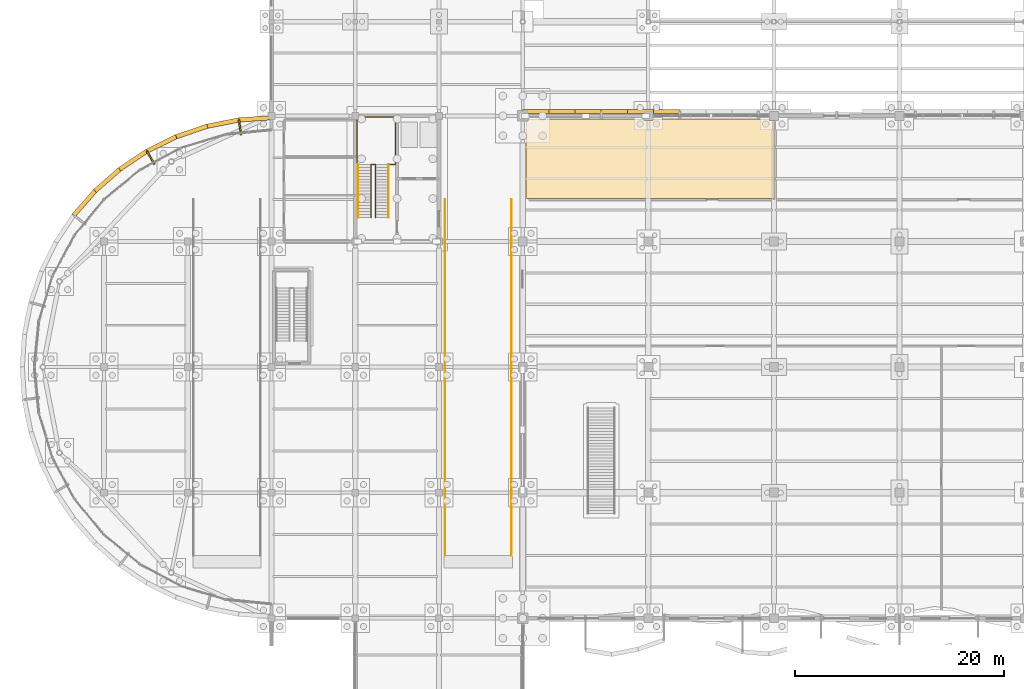
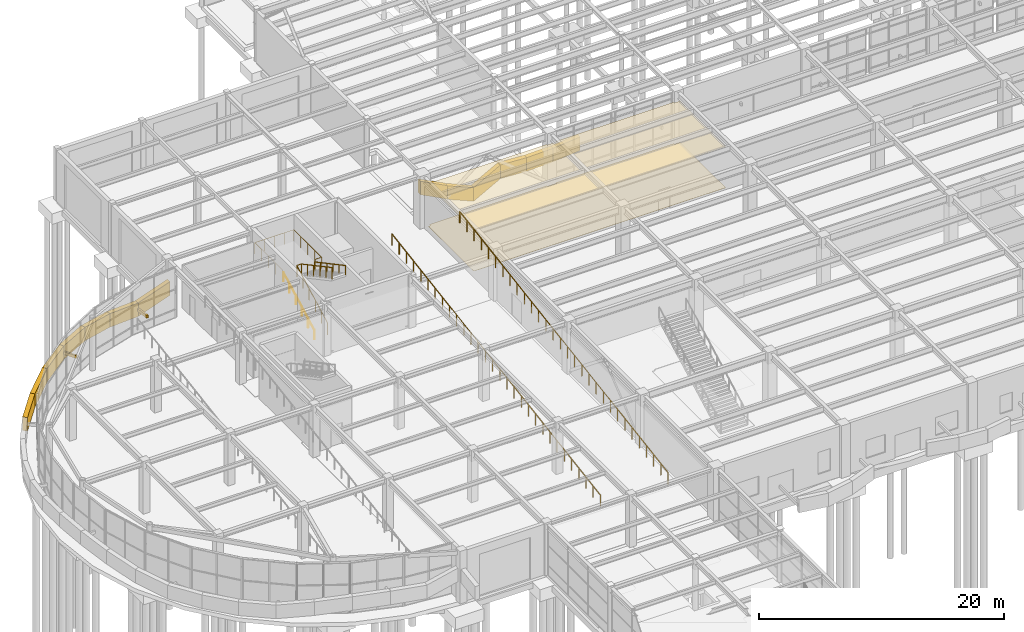
# One storey, part 77 of 85: 17 coverings, 6 railings.
"""IFC4 building model written with IfcOpenShell, lengths in metres."""

from ifc_helpers import new_model, si_unit, direction, frame, frame_2d, origin, origin_2d, place, context, subcontext, project, spatial, polyline, rectangle, circle, outline, extrude, material, layer, layer_set, type_object, element, save


model = new_model("IFC4")

# Units and contexts
model_context = context("Model", 3, precision=1e-05, world=origin(), true_north=direction((0.0, 1.0)))
body_context = subcontext(model_context, "Body", "Model", "MODEL_VIEW")
ifc_project = project(units=[si_unit("LENGTHUNIT", "METRE"), si_unit("AREAUNIT", "SQUARE_METRE"), si_unit("VOLUMEUNIT", "CUBIC_METRE"), si_unit("PLANEANGLEUNIT", "RADIAN"), si_unit("MASSUNIT", "GRAM", prefix="KILO")], contexts=[model_context])

# Site, building, storey
site_placement = place(None, origin())
site = spatial("IfcSite", under=ifc_project, at=site_placement, CompositionType="ELEMENT")
building_placement = place(site_placement, origin())
building = spatial("IfcBuilding", under=site, at=building_placement, Name="Keelwater Ferry Terminal", CompositionType="ELEMENT")
storey_placement = place(building_placement, origin())
storey = spatial("IfcBuildingStorey", under=building, at=storey_placement, Name="L00", CompositionType="ELEMENT", Elevation=0.0)

# Coverings
ifc_material_1 = material(Name="Perforated acoustic gypsum board ceiling", Category="gypsum")
ifc_layer_1 = layer(ifc_material_1, 0.044921875)
ifc_layer_set_1 = layer_set([ifc_layer_1], Name="Perforated acoustic gypsum board ceiling")
covering_type_1 = type_object("IfcCoveringType", Name="CL-AC Acoustic Baffle Ceiling", PredefinedType="CEILING", material=ifc_layer_set_1)
covering_1_placement = place(storey_placement, frame((0.0, 0.0, 4.10009765625)))
element("IfcCovering", 1, at=covering_1_placement, inside=storey, type_object=covering_type_1, Name="Left-Baggage Store Acoustic Ceiling", PredefinedType="CEILING", context=body_context, shape_type="SweptSolid", body=[
    extrude(outline(polyline([(59.56494140625, 89.678955078125), (59.56494140625, 89.56494140625), (60.43505859375, 89.56494140625), (60.43505859375, 89.678955078125), (60.43701171875, 89.679931640625), (60.445068359375, 89.679931640625), (71.554931640625, 89.679931640625), (71.56298828125, 89.679931640625), (71.56494140625, 89.678955078125), (71.56494140625, 89.56494140625), (72.0791015625, 89.56494140625), (72.080078125, 89.56298828125), (72.080078125, 89.554931640625), (72.080078125, 82.199951171875), (72.080078125, 82.19189453125), (72.077880859375, 82.18408203125), (72.076904296875, 82.177001953125), (72.073974609375, 82.1689453125), (72.071044921875, 82.162109375), (72.06689453125, 82.156005859375), (72.06201171875, 82.14892578125), (72.056884765625, 82.14306640625), (72.051025390625, 82.137939453125), (72.0439453125, 82.133056640625), (72.0380859375, 82.12890625), (72.031005859375, 82.1259765625), (72.02294921875, 82.123046875), (72.01611328125, 82.1220703125), (72.008056640625, 82.1201171875), (72.0, 82.1201171875), (48.39990234375, 82.1201171875), (48.39208984375, 82.1201171875), (48.384033203125, 82.1220703125), (48.376953125, 82.123046875), (48.368896484375, 82.1259765625), (48.362060546875, 82.12890625), (48.35595703125, 82.133056640625), (48.34912109375, 82.137939453125), (48.343017578125, 82.14306640625), (48.337890625, 82.14892578125), (48.3330078125, 82.156005859375), (48.3291015625, 82.162109375), (48.325927734375, 82.1689453125), (48.322998046875, 82.177001953125), (48.322021484375, 82.18408203125), (48.320068359375, 82.19189453125), (48.320068359375, 82.199951171875), (48.320068359375, 89.47998046875), (48.320068359375, 89.488037109375), (48.321044921875, 89.489990234375), (48.510009765625, 89.489990234375), (48.510009765625, 89.678955078125), (48.511962890625, 89.679931640625), (48.52001953125, 89.679931640625), (59.554931640625, 89.679931640625), (59.56298828125, 89.679931640625), (59.56494140625, 89.678955078125)])), origin(), (0.0, 0.0, 1.0), 0.044921875),
])
ifc_material_2 = material(Name="Polished mineral terrazzo tile", Category="stone")
ifc_layer_2 = layer(ifc_material_2, 0.030029296875)
ifc_layer_set_2 = layer_set([ifc_layer_2], Name="Polished mineral terrazzo tile")
covering_type_2 = type_object("IfcCoveringType", Name="FL-TZ Marine Terrazzo Flooring", PredefinedType="FLOORING", material=ifc_layer_set_2)
covering_2_placement = place(storey_placement, origin())
element("IfcCovering", 2, at=covering_2_placement, inside=storey, type_object=covering_type_2, Name="Left-Baggage Store Terrazzo Floor", PredefinedType="FLOORING", context=body_context, shape_type="SweptSolid", body=[
    extrude(outline(polyline([(59.56494140625, 89.678955078125), (59.56494140625, 89.56494140625), (60.43505859375, 89.56494140625), (60.43505859375, 89.678955078125), (60.43701171875, 89.679931640625), (60.445068359375, 89.679931640625), (71.554931640625, 89.679931640625), (71.56298828125, 89.679931640625), (71.56494140625, 89.678955078125), (71.56494140625, 89.56494140625), (72.0791015625, 89.56494140625), (72.080078125, 89.56298828125), (72.080078125, 89.554931640625), (72.080078125, 82.199951171875), (72.080078125, 82.19189453125), (72.077880859375, 82.18408203125), (72.076904296875, 82.177001953125), (72.073974609375, 82.1689453125), (72.071044921875, 82.162109375), (72.06689453125, 82.156005859375), (72.06201171875, 82.14892578125), (72.056884765625, 82.14306640625), (72.051025390625, 82.137939453125), (72.0439453125, 82.133056640625), (72.0380859375, 82.12890625), (72.031005859375, 82.1259765625), (72.02294921875, 82.123046875), (72.01611328125, 82.1220703125), (72.008056640625, 82.1201171875), (72.0, 82.1201171875), (48.39990234375, 82.1201171875), (48.39208984375, 82.1201171875), (48.384033203125, 82.1220703125), (48.376953125, 82.123046875), (48.368896484375, 82.1259765625), (48.362060546875, 82.12890625), (48.35595703125, 82.133056640625), (48.34912109375, 82.137939453125), (48.343017578125, 82.14306640625), (48.337890625, 82.14892578125), (48.3330078125, 82.156005859375), (48.3291015625, 82.162109375), (48.325927734375, 82.1689453125), (48.322998046875, 82.177001953125), (48.322021484375, 82.18408203125), (48.320068359375, 82.19189453125), (48.320068359375, 82.199951171875), (48.320068359375, 89.47998046875), (48.320068359375, 89.488037109375), (48.321044921875, 89.489990234375), (48.510009765625, 89.489990234375), (48.510009765625, 89.678955078125), (48.511962890625, 89.679931640625), (48.52001953125, 89.679931640625), (59.554931640625, 89.679931640625), (59.56298828125, 89.679931640625), (59.56494140625, 89.678955078125)])), origin(), (0.0, 0.0, 1.0), 0.030029296875),
])

# Railings
ifc_material_3 = material(Name="Painted Steel S355", Category="steel")
railing_type_1 = type_object("IfcRailingType", Name="GR-115 Stair Well Guardrail", PredefinedType="GUARDRAIL", material=ifc_material_3)
railing_1_placement = place(storey_placement, frame((33.510009765625, 80.300048828125, 0.0)))
element("IfcRailing", 3, at=railing_1_placement, inside=storey, type_object=railing_type_1, Name="Stair ST-C1-L00 Inner Well Guard 1", PredefinedType="GUARDRAIL", context=body_context, shape_type="SweptSolid", body=[
    extrude(circle(Radius=0.02392578125, at=origin_2d()), frame((0.0, 0.0, 1.1259765625), z_axis=(0.0, 0.881485048194, 0.472211933151), x_axis=(-1.0, 0.0, 0.0)), (0.0, 0.0, 1.0), 5.7177734375),
    extrude(circle(Radius=0.02392578125, at=origin_2d()), frame((0.0, 5.0400390625, 3.82568359375), z_axis=(1.0, 0.0, 0.0), x_axis=(0.0, 1.0, 0.0)), (0.0, 0.0, 1.0), 0.419921875),
    extrude(circle(Radius=0.02392578125, at=origin_2d()), frame((0.419921875, 5.0400390625, 3.82568359375), z_axis=(0.0, -0.881485048194, 0.472211933151), x_axis=(1.0, 0.0, 0.0)), (0.0, 0.0, 1.0), 5.7177734375),
    extrude(circle(Radius=0.02099609375, at=origin_2d()), origin(), (0.0, 0.0, 1.0), 1.101806640625),
    extrude(circle(Radius=0.02099609375, at=origin_2d()), frame((0.0, 1.008056640625, 0.5400390625)), (0.0, 0.0, 1.0), 1.101806640625),
    extrude(circle(Radius=0.02099609375, at=origin_2d()), frame((0.0, 2.01611328125, 1.080078125)), (0.0, 0.0, 1.0), 1.101806640625),
    extrude(circle(Radius=0.02099609375, at=origin_2d()), frame((0.0, 3.02392578125, 1.619873046875)), (0.0, 0.0, 1.0), 1.101806640625),
    extrude(circle(Radius=0.02099609375, at=origin_2d()), frame((0.0, 4.031982421875, 2.159912109375)), (0.0, 0.0, 1.0), 1.101806640625),
    extrude(circle(Radius=0.02099609375, at=origin_2d()), frame((0.0, 5.0400390625, 2.699951171875)), (0.0, 0.0, 1.0), 1.101806640625),
    extrude(circle(Radius=0.02099609375, at=origin_2d()), frame((0.419921875, 5.0400390625, 2.699951171875)), (0.0, 0.0, 1.0), 1.101806640625),
    extrude(circle(Radius=0.02099609375, at=origin_2d()), frame((0.419921875, 4.031982421875, 3.239990234375)), (0.0, 0.0, 1.0), 1.101806640625),
    extrude(circle(Radius=0.02099609375, at=origin_2d()), frame((0.419921875, 3.02392578125, 3.780029296875)), (0.0, 0.0, 1.0), 1.101806640625),
    extrude(circle(Radius=0.02099609375, at=origin_2d()), frame((0.419921875, 2.01611328125, 4.31982421875)), (0.0, 0.0, 1.0), 1.101806640625),
    extrude(circle(Radius=0.02099609375, at=origin_2d()), frame((0.419921875, 1.008056640625, 4.85986328125)), (0.0, 0.0, 1.0), 1.101806640625),
    extrude(circle(Radius=0.02099609375, at=origin_2d()), frame((0.419921875, 0.0, 5.39990234375)), (0.0, 0.0, 1.0), 1.101806640625),
])
railing_2_placement = place(storey_placement, frame((32.199951171875, 85.340087890625, 2.699951171875)))
element("IfcRailing", 4, at=railing_2_placement, inside=storey, type_object=railing_type_1, Name="Stair ST-C1-L00 Half-Landing Guard 2", PredefinedType="GUARDRAIL", context=body_context, shape_type="SweptSolid", body=[
    extrude(circle(Radius=0.02392578125, at=origin_2d()), frame((0.0, 0.0, 1.1259765625), z_axis=(-1.0, 0.0, 0.0), x_axis=(0.0, -1.0, 0.0)), (0.0, 0.0, 1.0), 0.02001953125),
    extrude(circle(Radius=0.02392578125, at=origin_2d()), frame((-0.02001953125, 0.0, 1.1259765625), z_axis=(0.0, 1.0, 0.0), x_axis=(-1.0, 0.0, 0.0)), (0.0, 0.0, 1.0), 4.530029296875),
    extrude(circle(Radius=0.02392578125, at=origin_2d()), frame((-0.02001953125, 4.530029296875, 1.1259765625), z_axis=(1.0, 0.0, 0.0), x_axis=(0.0, 1.0, 0.0)), (0.0, 0.0, 1.0), 3.670166015625),
    extrude(circle(Radius=0.02392578125, at=origin_2d()), frame((3.650146484375, 4.530029296875, 1.1259765625), z_axis=(0.0, -1.0, 0.0), x_axis=(1.0, 0.0, 0.0)), (0.0, 0.0, 1.0), 4.530029296875),
    extrude(circle(Radius=0.02392578125, at=origin_2d()), frame((3.650146484375, 0.0, 1.1259765625), z_axis=(-1.0, 0.0, 0.0), x_axis=(0.0, -1.0, 0.0)), (0.0, 0.0, 1.0), 0.610107421875),
    extrude(circle(Radius=0.02099609375, at=origin_2d()), origin(), (0.0, 0.0, 1.0), 1.101806640625),
    extrude(circle(Radius=0.02099609375, at=origin_2d()), frame((-0.02001953125, 0.0, 0.0)), (0.0, 0.0, 1.0), 1.101806640625),
    extrude(circle(Radius=0.02099609375, at=origin_2d()), frame((-0.02001953125, 1.132568359375, 0.0)), (0.0, 0.0, 1.0), 1.101806640625),
    extrude(circle(Radius=0.02099609375, at=origin_2d()), frame((-0.02001953125, 2.26513671875, 0.0)), (0.0, 0.0, 1.0), 1.101806640625),
    extrude(circle(Radius=0.02099609375, at=origin_2d()), frame((-0.02001953125, 3.3974609375, 0.0)), (0.0, 0.0, 1.0), 1.101806640625),
    extrude(circle(Radius=0.02099609375, at=origin_2d()), frame((-0.02001953125, 4.530029296875, 0.0)), (0.0, 0.0, 1.0), 1.101806640625),
    extrude(circle(Radius=0.02099609375, at=origin_2d()), frame((0.8974609375, 4.530029296875, 0.0)), (0.0, 0.0, 1.0), 1.101806640625),
    extrude(circle(Radius=0.02099609375, at=origin_2d()), frame((1.81494140625, 4.530029296875, 0.0)), (0.0, 0.0, 1.0), 1.101806640625),
    extrude(circle(Radius=0.02099609375, at=origin_2d()), frame((2.732666015625, 4.530029296875, 0.0)), (0.0, 0.0, 1.0), 1.101806640625),
    extrude(circle(Radius=0.02099609375, at=origin_2d()), frame((3.650146484375, 4.530029296875, 0.0)), (0.0, 0.0, 1.0), 1.101806640625),
    extrude(circle(Radius=0.02099609375, at=origin_2d()), frame((3.650146484375, 3.3974609375, 0.0)), (0.0, 0.0, 1.0), 1.101806640625),
    extrude(circle(Radius=0.02099609375, at=origin_2d()), frame((3.650146484375, 2.26513671875, 0.0)), (0.0, 0.0, 1.0), 1.101806640625),
    extrude(circle(Radius=0.02099609375, at=origin_2d()), frame((3.650146484375, 1.132568359375, 0.0)), (0.0, 0.0, 1.0), 1.101806640625),
    extrude(circle(Radius=0.02099609375, at=origin_2d()), frame((3.650146484375, 0.0, 0.0)), (0.0, 0.0, 1.0), 1.101806640625),
    extrude(circle(Radius=0.02099609375, at=origin_2d()), frame((3.0400390625, 0.0, 0.0)), (0.0, 0.0, 1.0), 1.101806640625),
])
railing_3_placement = place(storey_placement, frame((40.56005859375, 48.0, 0.0)))
element("IfcRailing", 5, at=railing_3_placement, inside=storey, type_object=railing_type_1, Name="VR2 Sloped Ramp Guard 136", PredefinedType="GUARDRAIL", context=body_context, shape_type="SweptSolid", body=[
    extrude(circle(Radius=0.02392578125, at=origin_2d()), frame((0.0, 0.0, 1.1259765625), z_axis=(0.0, 0.987621686258, 0.156854725246), x_axis=(-1.0, 0.0, 0.0)), (0.0, 0.0, 1.0), 34.426025390625),
    extrude(circle(Radius=0.02099609375, at=origin_2d()), origin(), (0.0, 0.0, 1.0), 1.101806640625),
    extrude(circle(Radius=0.02099609375, at=origin_2d()), frame((0.0, 1.17236328125, 0.186279296875)), (0.0, 0.0, 1.0), 1.101806640625),
    extrude(circle(Radius=0.02099609375, at=origin_2d()), frame((0.0, 2.3447265625, 0.372314453125)), (0.0, 0.0, 1.0), 1.101806640625),
    extrude(circle(Radius=0.02099609375, at=origin_2d()), frame((0.0, 3.517333984375, 0.55859375)), (0.0, 0.0, 1.0), 1.101806640625),
    extrude(circle(Radius=0.02099609375, at=origin_2d()), frame((0.0, 4.689697265625, 0.744873046875)), (0.0, 0.0, 1.0), 1.101806640625),
    extrude(circle(Radius=0.02099609375, at=origin_2d()), frame((0.0, 5.862060546875, 0.930908203125)), (0.0, 0.0, 1.0), 1.101806640625),
    extrude(circle(Radius=0.02099609375, at=origin_2d()), frame((0.0, 7.034423828125, 1.1171875)), (0.0, 0.0, 1.0), 1.101806640625),
    extrude(circle(Radius=0.02099609375, at=origin_2d()), frame((0.0, 8.206787109375, 1.303466796875)), (0.0, 0.0, 1.0), 1.101806640625),
    extrude(circle(Radius=0.02099609375, at=origin_2d()), frame((0.0, 9.37939453125, 1.48974609375)), (0.0, 0.0, 1.0), 1.101806640625),
    extrude(circle(Radius=0.02099609375, at=origin_2d()), frame((0.0, 10.5517578125, 1.67578125)), (0.0, 0.0, 1.0), 1.101806640625),
    extrude(circle(Radius=0.02099609375, at=origin_2d()), frame((0.0, 11.72412109375, 1.862060546875)), (0.0, 0.0, 1.0), 1.101806640625),
    extrude(circle(Radius=0.02099609375, at=origin_2d()), frame((0.0, 12.896484375, 2.04833984375)), (0.0, 0.0, 1.0), 1.101806640625),
    extrude(circle(Radius=0.02099609375, at=origin_2d()), frame((0.0, 14.06884765625, 2.234375)), (0.0, 0.0, 1.0), 1.101806640625),
    extrude(circle(Radius=0.02099609375, at=origin_2d()), frame((0.0, 15.241455078125, 2.420654296875)), (0.0, 0.0, 1.0), 1.101806640625),
    extrude(circle(Radius=0.02099609375, at=origin_2d()), frame((0.0, 16.413818359375, 2.60693359375)), (0.0, 0.0, 1.0), 1.101806640625),
    extrude(circle(Radius=0.02099609375, at=origin_2d()), frame((0.0, 17.586181640625, 2.79296875)), (0.0, 0.0, 1.0), 1.101806640625),
    extrude(circle(Radius=0.02099609375, at=origin_2d()), frame((0.0, 18.758544921875, 2.979248046875)), (0.0, 0.0, 1.0), 1.101806640625),
    extrude(circle(Radius=0.02099609375, at=origin_2d()), frame((0.0, 19.93115234375, 3.16552734375)), (0.0, 0.0, 1.0), 1.101806640625),
    extrude(circle(Radius=0.02099609375, at=origin_2d()), frame((0.0, 21.103515625, 3.3515625)), (0.0, 0.0, 1.0), 1.101806640625),
    extrude(circle(Radius=0.02099609375, at=origin_2d()), frame((0.0, 22.27587890625, 3.537841796875)), (0.0, 0.0, 1.0), 1.101806640625),
    extrude(circle(Radius=0.02099609375, at=origin_2d()), frame((0.0, 23.4482421875, 3.72412109375)), (0.0, 0.0, 1.0), 1.101806640625),
    extrude(circle(Radius=0.02099609375, at=origin_2d()), frame((0.0, 24.62060546875, 3.91015625)), (0.0, 0.0, 1.0), 1.101806640625),
    extrude(circle(Radius=0.02099609375, at=origin_2d()), frame((0.0, 25.793212890625, 4.096435546875)), (0.0, 0.0, 1.0), 1.101806640625),
    extrude(circle(Radius=0.02099609375, at=origin_2d()), frame((0.0, 26.965576171875, 4.28271484375)), (0.0, 0.0, 1.0), 1.101806640625),
    extrude(circle(Radius=0.02099609375, at=origin_2d()), frame((0.0, 28.137939453125, 4.468994140625)), (0.0, 0.0, 1.0), 1.101806640625),
    extrude(circle(Radius=0.02099609375, at=origin_2d()), frame((0.0, 29.310302734375, 4.655029296875)), (0.0, 0.0, 1.0), 1.101806640625),
    extrude(circle(Radius=0.02099609375, at=origin_2d()), frame((0.0, 30.482666015625, 4.84130859375)), (0.0, 0.0, 1.0), 1.101806640625),
    extrude(circle(Radius=0.02099609375, at=origin_2d()), frame((0.0, 31.6552734375, 5.027587890625)), (0.0, 0.0, 1.0), 1.101806640625),
    extrude(circle(Radius=0.02099609375, at=origin_2d()), frame((0.0, 32.82763671875, 5.213623046875)), (0.0, 0.0, 1.0), 1.101806640625),
    extrude(circle(Radius=0.02099609375, at=origin_2d()), frame((0.0, 34.0, 5.39990234375)), (0.0, 0.0, 1.0), 1.101806640625),
])
railing_4_placement = place(storey_placement, frame((46.93994140625, 48.0, 0.0)))
element("IfcRailing", 6, at=railing_4_placement, inside=storey, type_object=railing_type_1, Name="VR2 Sloped Ramp Guard 137", PredefinedType="GUARDRAIL", context=body_context, shape_type="SweptSolid", body=[
    extrude(circle(Radius=0.02392578125, at=origin_2d()), frame((0.0, 0.0, 1.1259765625), z_axis=(0.0, 0.987621686258, 0.156854725246), x_axis=(-1.0, 0.0, 0.0)), (0.0, 0.0, 1.0), 34.426025390625),
    extrude(circle(Radius=0.02099609375, at=origin_2d()), origin(), (0.0, 0.0, 1.0), 1.101806640625),
    extrude(circle(Radius=0.02099609375, at=origin_2d()), frame((0.0, 1.17236328125, 0.186279296875)), (0.0, 0.0, 1.0), 1.101806640625),
    extrude(circle(Radius=0.02099609375, at=origin_2d()), frame((0.0, 2.3447265625, 0.372314453125)), (0.0, 0.0, 1.0), 1.101806640625),
    extrude(circle(Radius=0.02099609375, at=origin_2d()), frame((0.0, 3.517333984375, 0.55859375)), (0.0, 0.0, 1.0), 1.101806640625),
    extrude(circle(Radius=0.02099609375, at=origin_2d()), frame((0.0, 4.689697265625, 0.744873046875)), (0.0, 0.0, 1.0), 1.101806640625),
    extrude(circle(Radius=0.02099609375, at=origin_2d()), frame((0.0, 5.862060546875, 0.930908203125)), (0.0, 0.0, 1.0), 1.101806640625),
    extrude(circle(Radius=0.02099609375, at=origin_2d()), frame((0.0, 7.034423828125, 1.1171875)), (0.0, 0.0, 1.0), 1.101806640625),
    extrude(circle(Radius=0.02099609375, at=origin_2d()), frame((0.0, 8.206787109375, 1.303466796875)), (0.0, 0.0, 1.0), 1.101806640625),
    extrude(circle(Radius=0.02099609375, at=origin_2d()), frame((0.0, 9.37939453125, 1.48974609375)), (0.0, 0.0, 1.0), 1.101806640625),
    extrude(circle(Radius=0.02099609375, at=origin_2d()), frame((0.0, 10.5517578125, 1.67578125)), (0.0, 0.0, 1.0), 1.101806640625),
    extrude(circle(Radius=0.02099609375, at=origin_2d()), frame((0.0, 11.72412109375, 1.862060546875)), (0.0, 0.0, 1.0), 1.101806640625),
    extrude(circle(Radius=0.02099609375, at=origin_2d()), frame((0.0, 12.896484375, 2.04833984375)), (0.0, 0.0, 1.0), 1.101806640625),
    extrude(circle(Radius=0.02099609375, at=origin_2d()), frame((0.0, 14.06884765625, 2.234375)), (0.0, 0.0, 1.0), 1.101806640625),
    extrude(circle(Radius=0.02099609375, at=origin_2d()), frame((0.0, 15.241455078125, 2.420654296875)), (0.0, 0.0, 1.0), 1.101806640625),
    extrude(circle(Radius=0.02099609375, at=origin_2d()), frame((0.0, 16.413818359375, 2.60693359375)), (0.0, 0.0, 1.0), 1.101806640625),
    extrude(circle(Radius=0.02099609375, at=origin_2d()), frame((0.0, 17.586181640625, 2.79296875)), (0.0, 0.0, 1.0), 1.101806640625),
    extrude(circle(Radius=0.02099609375, at=origin_2d()), frame((0.0, 18.758544921875, 2.979248046875)), (0.0, 0.0, 1.0), 1.101806640625),
    extrude(circle(Radius=0.02099609375, at=origin_2d()), frame((0.0, 19.93115234375, 3.16552734375)), (0.0, 0.0, 1.0), 1.101806640625),
    extrude(circle(Radius=0.02099609375, at=origin_2d()), frame((0.0, 21.103515625, 3.3515625)), (0.0, 0.0, 1.0), 1.101806640625),
    extrude(circle(Radius=0.02099609375, at=origin_2d()), frame((0.0, 22.27587890625, 3.537841796875)), (0.0, 0.0, 1.0), 1.101806640625),
    extrude(circle(Radius=0.02099609375, at=origin_2d()), frame((0.0, 23.4482421875, 3.72412109375)), (0.0, 0.0, 1.0), 1.101806640625),
    extrude(circle(Radius=0.02099609375, at=origin_2d()), frame((0.0, 24.62060546875, 3.91015625)), (0.0, 0.0, 1.0), 1.101806640625),
    extrude(circle(Radius=0.02099609375, at=origin_2d()), frame((0.0, 25.793212890625, 4.096435546875)), (0.0, 0.0, 1.0), 1.101806640625),
    extrude(circle(Radius=0.02099609375, at=origin_2d()), frame((0.0, 26.965576171875, 4.28271484375)), (0.0, 0.0, 1.0), 1.101806640625),
    extrude(circle(Radius=0.02099609375, at=origin_2d()), frame((0.0, 28.137939453125, 4.468994140625)), (0.0, 0.0, 1.0), 1.101806640625),
    extrude(circle(Radius=0.02099609375, at=origin_2d()), frame((0.0, 29.310302734375, 4.655029296875)), (0.0, 0.0, 1.0), 1.101806640625),
    extrude(circle(Radius=0.02099609375, at=origin_2d()), frame((0.0, 30.482666015625, 4.84130859375)), (0.0, 0.0, 1.0), 1.101806640625),
    extrude(circle(Radius=0.02099609375, at=origin_2d()), frame((0.0, 31.6552734375, 5.027587890625)), (0.0, 0.0, 1.0), 1.101806640625),
    extrude(circle(Radius=0.02099609375, at=origin_2d()), frame((0.0, 32.82763671875, 5.213623046875)), (0.0, 0.0, 1.0), 1.101806640625),
    extrude(circle(Radius=0.02099609375, at=origin_2d()), frame((0.0, 34.0, 5.39990234375)), (0.0, 0.0, 1.0), 1.101806640625),
])
ifc_material_4 = material(Name="Brushed stainless steel handrail", Category="steel")
railing_type_2 = type_object("IfcRailingType", Name="HR-920 Stair Pitch Handrail", PredefinedType="HANDRAIL", material=ifc_material_4)
railing_5_placement = place(storey_placement, frame((32.260009765625, 80.300048828125, 0.0)))
element("IfcRailing", 7, at=railing_5_placement, inside=storey, type_object=railing_type_2, Name="Stair ST-C1-L00 Flight 1 Handrail 3", PredefinedType="HANDRAIL", context=body_context, shape_type="SweptSolid", body=[
    extrude(circle(Radius=0.02392578125, at=origin_2d()), frame((0.0, 0.0, 0.89599609375), z_axis=(0.0, 0.881485048194, 0.472211933151), x_axis=(-1.0, 0.0, 0.0)), (0.0, 0.0, 1.0), 5.7177734375),
    extrude(circle(Radius=0.02099609375, at=origin_2d()), origin(), (0.0, 0.0, 1.0), 0.871826171875),
    extrude(circle(Radius=0.02099609375, at=origin_2d()), frame((0.0, 1.008056640625, 0.5400390625)), (0.0, 0.0, 1.0), 0.871826171875),
    extrude(circle(Radius=0.02099609375, at=origin_2d()), frame((0.0, 2.01611328125, 1.080078125)), (0.0, 0.0, 1.0), 0.871826171875),
    extrude(circle(Radius=0.02099609375, at=origin_2d()), frame((0.0, 3.02392578125, 1.619873046875)), (0.0, 0.0, 1.0), 0.871826171875),
    extrude(circle(Radius=0.02099609375, at=origin_2d()), frame((0.0, 4.031982421875, 2.159912109375)), (0.0, 0.0, 1.0), 0.871826171875),
    extrude(circle(Radius=0.02099609375, at=origin_2d()), frame((0.0, 5.0400390625, 2.699951171875)), (0.0, 0.0, 1.0), 0.871826171875),
])
railing_6_placement = place(storey_placement, frame((35.179931640625, 85.340087890625, 2.699951171875)))
element("IfcRailing", 8, at=railing_6_placement, inside=storey, type_object=railing_type_2, Name="Stair ST-C1-L00 Flight 2 Handrail 4", PredefinedType="HANDRAIL", context=body_context, shape_type="SweptSolid", body=[
    extrude(circle(Radius=0.02392578125, at=origin_2d()), frame((0.0, 0.0, 0.89599609375), z_axis=(0.0, -0.881485048194, 0.472211933151), x_axis=(1.0, 0.0, 0.0)), (0.0, 0.0, 1.0), 5.7177734375),
    extrude(circle(Radius=0.02099609375, at=origin_2d()), origin(), (0.0, 0.0, 1.0), 0.871826171875),
    extrude(circle(Radius=0.02099609375, at=origin_2d()), frame((0.0, -1.008056640625, 0.5400390625)), (0.0, 0.0, 1.0), 0.871826171875),
    extrude(circle(Radius=0.02099609375, at=origin_2d()), frame((0.0, -2.01611328125, 1.080078125)), (0.0, 0.0, 1.0), 0.871826171875),
    extrude(circle(Radius=0.02099609375, at=origin_2d()), frame((0.0, -3.02392578125, 1.619873046875)), (0.0, 0.0, 1.0), 0.871826171875),
    extrude(circle(Radius=0.02099609375, at=origin_2d()), frame((0.0, -4.031982421875, 2.159912109375)), (0.0, 0.0, 1.0), 0.871826171875),
    extrude(circle(Radius=0.02099609375, at=origin_2d()), frame((0.0, -5.0400390625, 2.699951171875)), (0.0, 0.0, 1.0), 0.871826171875),
])

# Coverings
ifc_material_5 = material(Name="Matte white architectural aluminium fascia ribbon", Category="aluminium")
ifc_layer_3 = layer(ifc_material_5, 0.1201171875)
ifc_layer_set_3 = layer_set([ifc_layer_3], Name="Matte white architectural aluminium fascia ribbon")
covering_type_3 = type_object("IfcCoveringType", Name="RB-WHT Matte White Fascia Ribbon", PredefinedType="CLADDING", material=ifc_layer_set_3)
covering_3_placement = place(storey_placement, frame((63.02490234375, 90.419921875, 1.751953125), z_axis=(0.0, 0.0, 1.0), x_axis=(-1.0, 0.0, 0.0)))
element("IfcCovering", 9, at=covering_3_placement, inside=storey, type_object=covering_type_3, Name="Quay Plinth Wave Fascia Ribbon 115", PredefinedType="CLADDING", context=body_context, shape_type="SweptSolid", body=[
    extrude(outline(polyline([(0.0, 0.244140625), (2.5498046875, 0.0), (2.5498046875, 1.35009765625), (0.0, 1.593994140625), (0.0, 0.244140625)])), frame((0.0, 0.2099609375, 0.0), z_axis=(0.0, -1.0, 0.0), x_axis=(1.0, 0.0, 0.0)), (0.0, 0.0, 1.0), 0.419921875),
])
covering_4_placement = place(storey_placement, frame((60.52490234375, 90.419921875, 1.69189453125), z_axis=(0.0, 0.0, 1.0), x_axis=(-1.0, 0.0, 0.0)))
element("IfcCovering", 10, at=covering_4_placement, inside=storey, type_object=covering_type_3, Name="Quay Plinth Wave Fascia Ribbon 126", PredefinedType="CLADDING", context=body_context, shape_type="SweptSolid", body=[
    extrude(outline(polyline([(0.0, 0.06005859375), (2.5498046875, 0.0), (2.5498046875, 1.35009765625), (0.0, 1.41015625), (0.0, 0.06005859375)])), frame((0.0, 0.2099609375, 0.0), z_axis=(0.0, -1.0, 0.0), x_axis=(1.0, 0.0, 0.0)), (0.0, 0.0, 1.0), 0.419921875),
])
covering_5_placement = place(storey_placement, frame((58.02490234375, 90.419921875, 1.69189453125), z_axis=(0.0, 0.0, 1.0), x_axis=(-1.0, 0.0, 0.0)))
element("IfcCovering", 11, at=covering_5_placement, inside=storey, type_object=covering_type_3, Name="Quay Plinth Wave Fascia Ribbon 130", PredefinedType="CLADDING", context=body_context, shape_type="SweptSolid", body=[
    extrude(outline(polyline([(0.0, 0.0), (2.5498046875, 0.14208984375), (2.5498046875, 1.4921875), (0.0, 1.35009765625), (0.0, 0.0)])), frame((0.0, 0.2099609375, 0.0), z_axis=(0.0, -1.0, 0.0), x_axis=(1.0, 0.0, 0.0)), (0.0, 0.0, 1.0), 0.419921875),
])
covering_6_placement = place(storey_placement, frame((55.52490234375, 90.419921875, 0.445068359375), z_axis=(0.0, 0.0, 1.0), x_axis=(-1.0, 0.0, 0.0)))
element("IfcCovering", 12, at=covering_6_placement, inside=storey, type_object=covering_type_3, Name="Quay Plinth Wave Fascia Ribbon 134", PredefinedType="CLADDING", context=body_context, shape_type="SweptSolid", body=[
    extrude(outline(polyline([(0.0, 1.388916015625), (2.5498046875, 0.0), (2.5498046875, 1.349853515625), (0.0, 2.739013671875), (0.0, 1.388916015625)])), frame((0.0, 0.2099609375, 0.0), z_axis=(0.0, -1.0, 0.0), x_axis=(1.0, 0.0, 0.0)), (0.0, 0.0, 1.0), 0.419921875),
])
covering_7_placement = place(storey_placement, frame((53.02490234375, 90.419921875, 0.445068359375), z_axis=(0.0, 0.0, 1.0), x_axis=(-1.0, 0.0, 0.0)))
element("IfcCovering", 13, at=covering_7_placement, inside=storey, type_object=covering_type_3, Name="Quay Plinth Wave Fascia Ribbon 146", PredefinedType="CLADDING", context=body_context, shape_type="SweptSolid", body=[
    extrude(outline(polyline([(0.0, 0.0), (2.5498046875, 1.076904296875), (2.5498046875, 2.427001953125), (0.0, 1.349853515625), (0.0, 0.0)])), frame((0.0, 0.2099609375, 0.0), z_axis=(0.0, -1.0, 0.0), x_axis=(1.0, 0.0, 0.0)), (0.0, 0.0, 1.0), 0.419921875),
])
covering_8_placement = place(storey_placement, frame((50.52490234375, 90.419921875, 1.52197265625), z_axis=(0.0, 0.0, 1.0), x_axis=(-1.0, 0.0, 0.0)))
element("IfcCovering", 14, at=covering_8_placement, inside=storey, type_object=covering_type_3, Name="Quay Plinth Wave Fascia Ribbon 150", PredefinedType="CLADDING", context=body_context, shape_type="SweptSolid", body=[
    extrude(outline(polyline([(0.0, 0.0), (2.5498046875, 1.3291015625), (2.5498046875, 2.678955078125), (0.0, 1.35009765625), (0.0, 0.0)])), frame((0.0, 0.2099609375, 0.0), z_axis=(0.0, -1.0, 0.0), x_axis=(1.0, 0.0, 0.0)), (0.0, 0.0, 1.0), 0.419921875),
])
covering_9_placement = place(storey_placement, frame((24.02490234375, 89.822021484375, 0.681884765625), z_axis=(0.0, 0.0, 1.0), x_axis=(-0.997839082041, -0.065705147067, 0.0)))
element("IfcCovering", 15, at=covering_9_placement, inside=storey, type_object=covering_type_3, Name="Quay Plinth Wave Fascia Ribbon 159", PredefinedType="CLADDING", context=body_context, shape_type="SweptSolid", body=[
    extrude(outline(polyline([(0.0, 0.912109375), (3.165771484375, 0.0), (3.165771484375, 1.35009765625), (0.0, 2.26220703125), (0.0, 0.912109375)])), frame((0.0, 0.2099609375, 0.0), z_axis=(0.0, -1.0, 0.0), x_axis=(1.0, 0.0, 0.0)), (0.0, 0.0, 1.0), 0.419921875),
])
covering_10_placement = place(storey_placement, frame((20.916015625, 89.62109375, 0.681884765625), z_axis=(0.0, 0.0, 1.0), x_axis=(-0.98076407959, -0.195196875454, 0.0)))
element("IfcCovering", 16, at=covering_10_placement, inside=storey, type_object=covering_type_3, Name="Quay Plinth Wave Fascia Ribbon 163", PredefinedType="CLADDING", context=body_context, shape_type="SweptSolid", body=[
    extrude(outline(polyline([(0.0, 0.0), (3.1669921875, 0.355224609375), (3.1669921875, 1.705078125), (0.0, 1.35009765625), (0.0, 0.0)])), frame((0.0, 0.2099609375, 0.0), z_axis=(0.0, -1.0, 0.0), x_axis=(1.0, 0.0, 0.0)), (0.0, 0.0, 1.0), 0.419921875),
])
covering_11_placement = place(storey_placement, frame((20.89111328125, 89.615966796875, 1.217041015625), z_axis=(0.0, 0.0, 1.0), x_axis=(0.130289043397, -0.991476053756, 0.0)))
element("IfcCovering", 17, at=covering_11_placement, inside=storey, type_object=covering_type_3, Name="Ribbon Horizontal Tie Bracket 167", PredefinedType="CLADDING", context=body_context, shape_type="SweptSolid", body=[
    extrude(rectangle(XDim=1.450439453125, YDim=0.159912109375, at=frame_2d((0.72509765625, 0.0))), origin(), (0.0, 0.0, 1.0), 0.280029296875),
])
covering_12_placement = place(storey_placement, frame((17.85888671875, 89.01611328125, 1.037109375), z_axis=(0.0, 0.0, 1.0), x_axis=(-0.94701262585, -0.321196336342, 0.0)))
element("IfcCovering", 18, at=covering_12_placement, inside=storey, type_object=covering_type_3, Name="Quay Plinth Wave Fascia Ribbon 174", PredefinedType="CLADDING", context=body_context, shape_type="SweptSolid", body=[
    extrude(outline(polyline([(0.0, 0.0), (3.16650390625, 0.263916015625), (3.16650390625, 1.61376953125), (0.0, 1.349853515625), (0.0, 0.0)])), frame((0.0, 0.2099609375, 0.0), z_axis=(0.0, -1.0, 0.0), x_axis=(1.0, 0.0, 0.0)), (0.0, 0.0, 1.0), 0.419921875),
])
covering_13_placement = place(storey_placement, frame((14.906005859375, 88.01806640625, 1.264892578125), z_axis=(0.0, 0.0, 1.0), x_axis=(-0.896790782987, -0.442454846905, 0.0)))
element("IfcCovering", 19, at=covering_13_placement, inside=storey, type_object=covering_type_3, Name="Quay Plinth Wave Fascia Ribbon 178", PredefinedType="CLADDING", context=body_context, shape_type="SweptSolid", body=[
    extrude(outline(polyline([(0.0, 0.0361328125), (3.16455078125, 0.0), (3.16455078125, 1.35009765625), (0.0, 1.385986328125), (0.0, 0.0361328125)])), frame((0.0, 0.2099609375, 0.0), z_axis=(0.0, -1.0, 0.0), x_axis=(1.0, 0.0, 0.0)), (0.0, 0.0, 1.0), 0.419921875),
])
covering_14_placement = place(storey_placement, frame((12.111083984375, 86.64306640625, 0.944091796875), z_axis=(0.0, 0.0, 1.0), x_axis=(-0.831516144614, -0.55550058618, 0.0)))
element("IfcCovering", 20, at=covering_14_placement, inside=storey, type_object=covering_type_3, Name="Quay Plinth Wave Fascia Ribbon 182", PredefinedType="CLADDING", context=body_context, shape_type="SweptSolid", body=[
    extrude(outline(polyline([(0.0, 0.32080078125), (3.16650390625, 0.0), (3.16650390625, 1.349853515625), (0.0, 1.6708984375), (0.0, 0.32080078125)])), frame((0.0, 0.2099609375, 0.0), z_axis=(0.0, -1.0, 0.0), x_axis=(1.0, 0.0, 0.0)), (0.0, 0.0, 1.0), 0.419921875),
])
covering_15_placement = place(storey_placement, frame((12.090087890625, 86.62890625, 1.800048828125), z_axis=(0.0, 0.0, 1.0), x_axis=(0.499887636653, -0.866090267075, 0.0)))
element("IfcCovering", 21, at=covering_15_placement, inside=storey, type_object=covering_type_3, Name="Ribbon Horizontal Tie Bracket 186", PredefinedType="CLADDING", context=body_context, shape_type="SweptSolid", body=[
    extrude(rectangle(XDim=1.449951171875, YDim=0.159912109375, at=frame_2d((0.72509765625, 0.0))), origin(), (0.0, 0.0, 1.0), 0.280029296875),
])
covering_16_placement = place(storey_placement, frame((9.51806640625, 84.9140625, 0.48193359375), z_axis=(0.0, 0.0, 1.0), x_axis=(-0.75186441018, -0.65931776004, 0.0)))
element("IfcCovering", 22, at=covering_16_placement, inside=storey, type_object=covering_type_3, Name="Quay Plinth Wave Fascia Ribbon 193", PredefinedType="CLADDING", context=body_context, shape_type="SweptSolid", body=[
    extrude(outline(polyline([(0.0, 0.462158203125), (3.16552734375, 0.0), (3.16552734375, 1.35009765625), (0.0, 1.81201171875), (0.0, 0.462158203125)])), frame((0.0, 0.2099609375, 0.0), z_axis=(0.0, -1.0, 0.0), x_axis=(1.0, 0.0, 0.0)), (0.0, 0.0, 1.0), 0.419921875),
])
covering_17_placement = place(storey_placement, frame((7.173095703125, 82.862060546875, 0.25), z_axis=(0.0, 0.0, 1.0), x_axis=(-0.65931776004, -0.75186441018, 0.0)))
element("IfcCovering", 23, at=covering_17_placement, inside=storey, type_object=covering_type_3, Name="Quay Plinth Wave Fascia Ribbon 197", PredefinedType="CLADDING", context=body_context, shape_type="SweptSolid", body=[
    extrude(outline(polyline([(0.0, 0.23193359375), (3.16552734375, 0.0), (3.16552734375, 1.35009765625), (0.0, 1.58203125), (0.0, 0.23193359375)])), frame((0.0, 0.2099609375, 0.0), z_axis=(0.0, -1.0, 0.0), x_axis=(1.0, 0.0, 0.0)), (0.0, 0.0, 1.0), 0.419921875),
])

save(model, "model.ifc")
